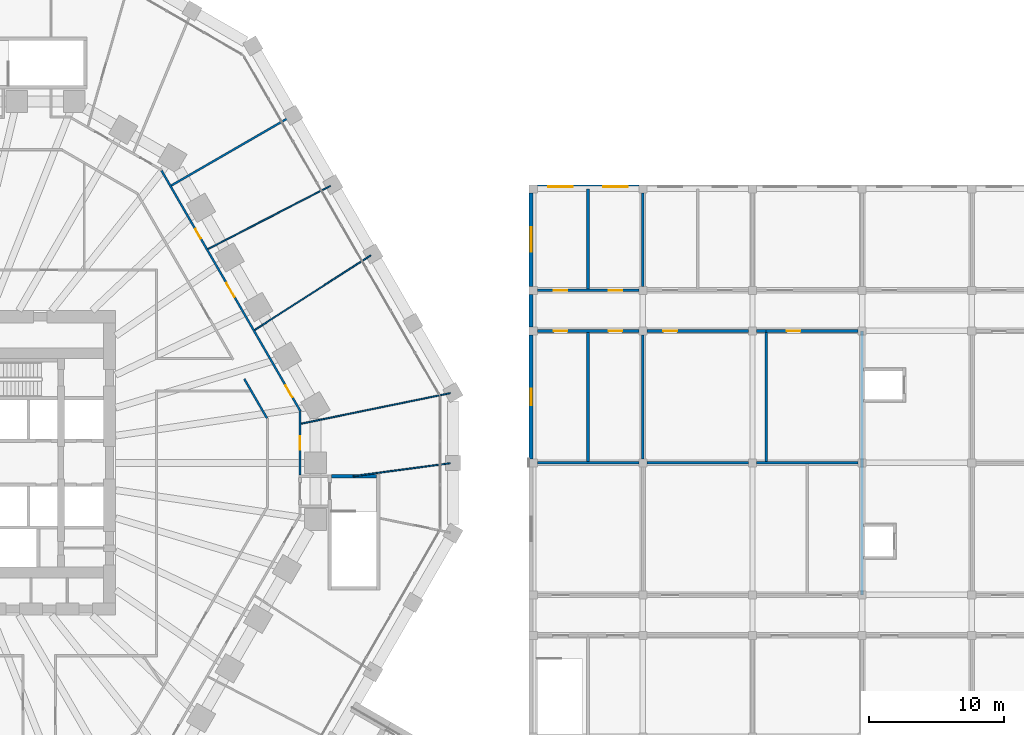
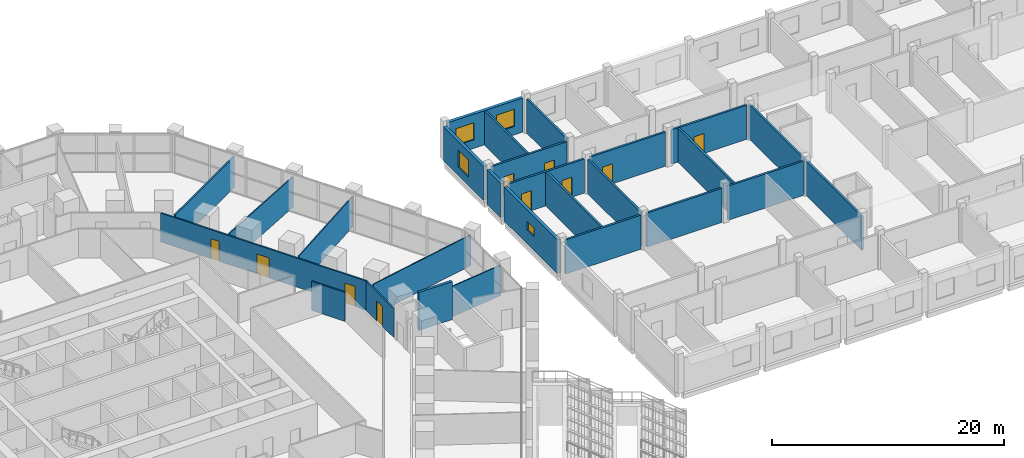
# One storey, part 26 of 38: 27 walls, 10 doors, 4 windows, 14 openings.
"""IFC4 building model written with IfcOpenShell, lengths in metres."""

from ifc_helpers import new_model, si_unit, direction, frame, frame_2d, origin, place, context, subcontext, project, spatial, rectangle, extrude, material, layer, layer_set, type_object, element, fill, save


model = new_model("IFC4")

# Units and contexts
model_context = context("Model", 3, precision=1e-05, world=origin(), true_north=direction((0.0, 1.0)))
body_context = subcontext(model_context, "Body", "Model", "MODEL_VIEW")
ifc_project = project(units=[si_unit("LENGTHUNIT", "METRE"), si_unit("AREAUNIT", "SQUARE_METRE"), si_unit("VOLUMEUNIT", "CUBIC_METRE"), si_unit("PLANEANGLEUNIT", "RADIAN"), si_unit("MASSUNIT", "GRAM", prefix="KILO")], contexts=[model_context])

# Site, building, storey
site_placement = place(None, origin())
site = spatial("IfcSite", under=ifc_project, at=site_placement, CompositionType="ELEMENT")
building_placement = place(site_placement, origin())
building = spatial("IfcBuilding", under=site, at=building_placement, Name="Frailejon Research Tower", CompositionType="ELEMENT")
storey_placement = place(building_placement, frame((0.0, 0.0, 10.199951171875)))
storey = spatial("IfcBuildingStorey", under=building, at=storey_placement, Name="L02", CompositionType="ELEMENT", Elevation=10.199951171875)

# Wall
ifc_material_1 = material(Name="Gypsum board and masonry partition", Category="masonry")
ifc_layer_1 = layer(ifc_material_1, 0.14990234375)
ifc_layer_set_1 = layer_set([ifc_layer_1], Name="Corridor wall EI 60, gypsum on steel studs 150")
wall_type_1 = type_object("IfcWallType", Name="Corridor wall EI 60, gypsum on steel studs 150", PredefinedType="PARTITIONING", material=ifc_layer_set_1)
wall_1_placement = place(storey_placement, frame((23.151611328125, 6.200439453125, 0.0), z_axis=(0.0, 0.0, 1.0), x_axis=(0.499943416353, -0.866058069904, 0.0)))
element("IfcWall", 1, at=wall_1_placement, inside=storey, type_object=wall_type_1, Name="T:IW:L02:003", PredefinedType="PARTITIONING", context=body_context, shape_type="SweptSolid", body=[
    extrude(rectangle(XDim=3.34765625, YDim=0.14990234375, at=frame_2d((1.673828125, 0.0))), origin(), (0.0, 0.0, 1.0), 3.050048828125),
])

# Wall, opening, door
wall_2_placement = place(storey_placement, frame((27.2626953125, -0.893798828125, 0.0), z_axis=(0.0, 0.0, 1.0), x_axis=(0.0, 1.0, 0.0)))
wall_2 = element("IfcWall", 2, at=wall_2_placement, inside=storey, type_object=wall_type_1, Name="T:IW:L02:006", PredefinedType="PARTITIONING", context=body_context, shape_type="SweptSolid", body=[
    extrude(rectangle(XDim=4.6982421875, YDim=0.14990234375, at=frame_2d((2.34912109375, 0.0))), origin(), (0.0, 0.0, 1.0), 3.050048828125),
])
opening_1_placement = place(wall_2_placement, frame((1.8798828125, 0.0, 0.0)))
opening_1 = element("IfcOpeningElement", 3, at=opening_1_placement, cuts=wall_2, Name="Opening D1055", PredefinedType="OPENING", context=body_context, shape_type="SweptSolid", body=[
    extrude(rectangle(XDim=1.0, YDim=2.10009765625, at=frame_2d((0.5, 1.050048828125))), frame((0.0, 0.0849609375, 0.0), z_axis=(0.0, -1.0, 0.0), x_axis=(1.0, 0.0, 0.0)), (0.0, 0.0, 1.0), 0.169921875),
])
ifc_material_2 = material(Name="Timber door leaf", Category="wood")
door_type_1 = type_object("IfcDoorType", Name="Door single leaf, timber, steel frame 1000", OperationType="NOTDEFINED", PredefinedType="DOOR", material=ifc_material_2)
door_1_placement = place(opening_1_placement, origin())
door_1 = element("IfcDoor", 4, at=door_1_placement, inside=storey, type_object=door_type_1, Name="D1055", OperationType="SINGLE_SWING_RIGHT", OverallHeight=2.10009765625, OverallWidth=1.0, PredefinedType="DOOR", context=body_context, shape_type="SweptSolid", body=[
    extrude(rectangle(XDim=1.0, YDim=2.10009765625, at=frame_2d((0.5, 1.050048828125))), frame((0.0, 0.02490234375, 0.0), z_axis=(0.0, -1.0, 0.0), x_axis=(1.0, 0.0, 0.0)), (0.0, 0.0, 1.0), 0.050048828125),
])
fill(opening_1, door_1)

# Wall, openings, doors
wall_3_placement = place(storey_placement, frame((17.028564453125, 21.605712890625, 0.0), z_axis=(0.0, 0.0, 1.0), x_axis=(0.499997805905, -0.866026670542, 0.0)))
wall_3 = element("IfcWall", 5, at=wall_3_placement, inside=storey, type_object=wall_type_1, Name="T:IW:L02:007", PredefinedType="PARTITIONING", context=body_context, shape_type="SweptSolid", body=[
    extrude(rectangle(XDim=20.54345703125, YDim=0.14990234375, at=frame_2d((10.271728515625, 0.0))), origin(), (0.0, 0.0, 1.0), 3.050048828125),
])
opening_2_placement = place(wall_3_placement, frame((18.351318359375, 0.0, 0.0)))
opening_2 = element("IfcOpeningElement", 6, at=opening_2_placement, cuts=wall_3, Name="Opening D1056", PredefinedType="OPENING", context=body_context, shape_type="SweptSolid", body=[
    extrude(rectangle(XDim=1.0, YDim=2.10009765625, at=frame_2d((0.5, 1.050048828125))), frame((0.0, 0.0849609375, 0.0), z_axis=(0.0, -1.0, 0.0), x_axis=(1.0, 0.0, 0.0)), (0.0, 0.0, 1.0), 0.169921875),
])
opening_3_placement = place(wall_3_placement, frame((9.5966796875, 0.0, 0.0)))
opening_3 = element("IfcOpeningElement", 7, at=opening_3_placement, cuts=wall_3, Name="Opening D1057", PredefinedType="OPENING", context=body_context, shape_type="SweptSolid", body=[
    extrude(rectangle(XDim=1.199951171875, YDim=2.10009765625, at=frame_2d((0.60009765625, 1.050048828125))), frame((0.0, 0.0849609375, 0.0), z_axis=(0.0, -1.0, 0.0), x_axis=(1.0, 0.0, 0.0)), (0.0, 0.0, 1.0), 0.169921875),
])
opening_4_placement = place(wall_3_placement, frame((5.002685546875, 0.0, 0.0)))
opening_4 = element("IfcOpeningElement", 8, at=opening_4_placement, cuts=wall_3, Name="Opening D1058", PredefinedType="OPENING", context=body_context, shape_type="SweptSolid", body=[
    extrude(rectangle(XDim=0.800048828125, YDim=2.10009765625, at=frame_2d((0.39990234375, 1.050048828125))), frame((0.0, 0.0849609375, 0.0), z_axis=(0.0, -1.0, 0.0), x_axis=(1.0, 0.0, 0.0)), (0.0, 0.0, 1.0), 0.169921875),
])
door_2_placement = place(opening_2_placement, origin())
door_2 = element("IfcDoor", 9, at=door_2_placement, inside=storey, type_object=door_type_1, Name="D1056", OperationType="SINGLE_SWING_RIGHT", OverallHeight=2.10009765625, OverallWidth=1.0, PredefinedType="DOOR", context=body_context, shape_type="SweptSolid", body=[
    extrude(rectangle(XDim=1.0, YDim=2.10009765625, at=frame_2d((0.5, 1.050048828125))), frame((0.0, 0.02490234375, 0.0), z_axis=(0.0, -1.0, 0.0), x_axis=(1.0, 0.0, 0.0)), (0.0, 0.0, 1.0), 0.050048828125),
])
fill(opening_2, door_2)
ifc_material_3 = material(Name="Timber door leaf", Category="wood")
door_type_2 = type_object("IfcDoorType", Name="Door single leaf, timber, steel frame 1200", OperationType="NOTDEFINED", PredefinedType="DOOR", material=ifc_material_3)
door_3_placement = place(opening_3_placement, origin())
door_3 = element("IfcDoor", 10, at=door_3_placement, inside=storey, type_object=door_type_2, Name="D1057", OperationType="DOUBLE_DOOR_SINGLE_SWING", OverallHeight=2.10009765625, OverallWidth=1.199951171875, PredefinedType="DOOR", context=body_context, shape_type="SweptSolid", body=[
    extrude(rectangle(XDim=1.199951171875, YDim=2.10009765625, at=frame_2d((0.60009765625, 1.050048828125))), frame((0.0, 0.02490234375, 0.0), z_axis=(0.0, -1.0, 0.0), x_axis=(1.0, 0.0, 0.0)), (0.0, 0.0, 1.0), 0.050048828125),
])
fill(opening_3, door_3)
ifc_material_4 = material(Name="Timber door leaf", Category="wood")
door_type_3 = type_object("IfcDoorType", Name="Door single leaf, timber, steel frame 800", OperationType="NOTDEFINED", PredefinedType="DOOR", material=ifc_material_4)
door_4_placement = place(opening_4_placement, origin())
door_4 = element("IfcDoor", 11, at=door_4_placement, inside=storey, type_object=door_type_3, Name="D1058", OperationType="SINGLE_SWING_RIGHT", OverallHeight=2.10009765625, OverallWidth=0.800048828125, PredefinedType="DOOR", context=body_context, shape_type="SweptSolid", body=[
    extrude(rectangle(XDim=0.800048828125, YDim=2.10009765625, at=frame_2d((0.39990234375, 1.050048828125))), frame((0.0, 0.02490234375, 0.0), z_axis=(0.0, -1.0, 0.0), x_axis=(1.0, 0.0, 0.0)), (0.0, 0.0, 1.0), 0.050048828125),
])
fill(opening_4, door_4)

# Wall, opening, window
ifc_material_5 = material(Name="Insulated masonry cavity wall", Category="masonry")
ifc_layer_2 = layer(ifc_material_5, 0.300048828125)
ifc_layer_set_2 = layer_set([ifc_layer_2], Name="HC facade wall 300")
wall_type_2 = type_object("IfcWallType", Name="HC facade wall 300", PredefinedType="SOLIDWALL", material=ifc_layer_set_2)
wall_4_placement = place(storey_placement, frame((44.35009765625, 0.300048828125, 0.0), z_axis=(0.0, 0.0, 1.0), x_axis=(0.0, 1.0, 0.0)))
wall_4 = element("IfcWall", 12, at=wall_4_placement, inside=storey, type_object=wall_type_2, Name="HC facade wall", PredefinedType="SOLIDWALL", context=body_context, shape_type="SweptSolid", body=[
    extrude(rectangle(XDim=9.14990234375, YDim=0.300048828125, at=frame_2d((4.574951171875, 0.0))), origin(), (0.0, 0.0, 1.0), 3.60009765625),
])
opening_5_placement = place(wall_4_placement, frame((3.97509765625, 0.0, 1.5)))
opening_5 = element("IfcOpeningElement", 13, at=opening_5_placement, cuts=wall_4, Name="Opening HW212", PredefinedType="OPENING", context=body_context, shape_type="SweptSolid", body=[
    extrude(rectangle(XDim=1.199951171875, YDim=0.89990234375, at=frame_2d((0.60009765625, 0.449951171875))), frame((0.0, 0.159912109375, 0.0), z_axis=(0.0, -1.0, 0.0), x_axis=(1.0, 0.0, 0.0)), (0.0, 0.0, 1.0), 0.320068359375),
])
ifc_material_6 = material(Name="Aluminium framed double glazing", Category="aluminium")
window_type_1 = type_object("IfcWindowType", Name="HC window 1200x900", PartitioningType="SINGLE_PANEL", PredefinedType="WINDOW", material=ifc_material_6)
window_1_placement = place(opening_5_placement, origin())
window_1 = element("IfcWindow", 14, at=window_1_placement, inside=storey, type_object=window_type_1, Name="Window HW212 (HCW2)", OverallHeight=0.89990234375, OverallWidth=1.199951171875, PartitioningType="SINGLE_PANEL", PredefinedType="WINDOW", context=body_context, shape_type="SweptSolid", body=[
    extrude(rectangle(XDim=1.199951171875, YDim=0.89990234375, at=frame_2d((0.60009765625, 0.449951171875))), frame((0.0, 0.030029296875, 0.0), z_axis=(0.0, -1.0, 0.0), x_axis=(1.0, 0.0, 0.0)), (0.0, 0.0, 1.0), 0.06005859375),
])
fill(opening_5, window_1)

# Wall
wall_5_placement = place(storey_placement, frame((44.35009765625, 10.050048828125, 0.0), z_axis=(0.0, 0.0, 1.0), x_axis=(0.0, 1.0, 0.0)))
element("IfcWall", 15, at=wall_5_placement, inside=storey, type_object=wall_type_2, Name="HC facade wall", PredefinedType="SOLIDWALL", context=body_context, shape_type="SweptSolid", body=[
    extrude(rectangle(XDim=2.39990234375, YDim=0.300048828125, at=frame_2d((1.199951171875, 0.0))), origin(), (0.0, 0.0, 1.0), 3.60009765625),
])

# Wall, opening, window
wall_6_placement = place(storey_placement, frame((44.35009765625, 13.050048828125, 0.0), z_axis=(0.0, 0.0, 1.0), x_axis=(0.0, 1.0, 0.0)))
wall_6 = element("IfcWall", 16, at=wall_6_placement, inside=storey, type_object=wall_type_2, Name="HC facade wall", PredefinedType="SOLIDWALL", context=body_context, shape_type="SweptSolid", body=[
    extrude(rectangle(XDim=6.89990234375, YDim=0.300048828125, at=frame_2d((3.449951171875, 0.0))), origin(), (0.0, 0.0, 1.0), 3.60009765625),
])
opening_6_placement = place(wall_6_placement, frame((2.550048828125, 0.0, 0.89990234375)))
opening_6 = element("IfcOpeningElement", 17, at=opening_6_placement, cuts=wall_6, Name="Opening HW215", PredefinedType="OPENING", context=body_context, shape_type="SweptSolid", body=[
    extrude(rectangle(XDim=1.800048828125, YDim=1.800048828125, at=frame_2d((0.89990234375, 0.89990234375))), frame((0.0, 0.159912109375, 0.0), z_axis=(0.0, -1.0, 0.0), x_axis=(1.0, 0.0, 0.0)), (0.0, 0.0, 1.0), 0.320068359375),
])
ifc_material_7 = material(Name="Aluminium framed double glazing", Category="aluminium")
window_type_2 = type_object("IfcWindowType", Name="HC window 1800x1800", PartitioningType="SINGLE_PANEL", PredefinedType="WINDOW", material=ifc_material_7)
window_2_placement = place(opening_6_placement, origin())
window_2 = element("IfcWindow", 18, at=window_2_placement, inside=storey, type_object=window_type_2, Name="Window HW215 (HCW1)", OverallHeight=1.800048828125, OverallWidth=1.800048828125, PartitioningType="SINGLE_PANEL", PredefinedType="WINDOW", context=body_context, shape_type="SweptSolid", body=[
    extrude(rectangle(XDim=1.800048828125, YDim=1.800048828125, at=frame_2d((0.89990234375, 0.89990234375))), frame((0.0, 0.030029296875, 0.0), z_axis=(0.0, -1.0, 0.0), x_axis=(1.0, 0.0, 0.0)), (0.0, 0.0, 1.0), 0.06005859375),
])
fill(opening_6, window_2)

# Wall, openings, windows
wall_7_placement = place(storey_placement, frame((44.800048828125, 20.39990234375, 0.0), z_axis=(0.0, 0.0, 1.0), x_axis=(1.0, 0.0, 0.0)))
wall_7 = element("IfcWall", 19, at=wall_7_placement, inside=storey, type_object=wall_type_2, Name="HC facade wall", PredefinedType="SOLIDWALL", context=body_context, shape_type="SweptSolid", body=[
    extrude(rectangle(XDim=7.5, YDim=0.300048828125, at=frame_2d((3.75, 0.0))), origin(), (0.0, 0.0, 1.0), 3.60009765625),
])
opening_7_placement = place(wall_7_placement, frame((0.824951171875, 0.0, 0.89990234375)))
opening_7 = element("IfcOpeningElement", 20, at=opening_7_placement, cuts=wall_7, Name="Opening HW214", PredefinedType="OPENING", context=body_context, shape_type="SweptSolid", body=[
    extrude(rectangle(XDim=1.800048828125, YDim=1.800048828125, at=frame_2d((0.89990234375, 0.89990234375))), frame((0.0, 0.159912109375, 0.0), z_axis=(0.0, -1.0, 0.0), x_axis=(1.0, 0.0, 0.0)), (0.0, 0.0, 1.0), 0.320068359375),
])
opening_8_placement = place(wall_7_placement, frame((4.875, 0.0, 0.89990234375)))
opening_8 = element("IfcOpeningElement", 21, at=opening_8_placement, cuts=wall_7, Name="Opening HW216", PredefinedType="OPENING", context=body_context, shape_type="SweptSolid", body=[
    extrude(rectangle(XDim=1.800048828125, YDim=1.800048828125, at=frame_2d((0.89990234375, 0.89990234375))), frame((0.0, 0.159912109375, 0.0), z_axis=(0.0, -1.0, 0.0), x_axis=(1.0, 0.0, 0.0)), (0.0, 0.0, 1.0), 0.320068359375),
])
window_3_placement = place(opening_7_placement, origin())
window_3 = element("IfcWindow", 22, at=window_3_placement, inside=storey, type_object=window_type_2, Name="Window HW214 (HCW1)", OverallHeight=1.800048828125, OverallWidth=1.800048828125, PartitioningType="SINGLE_PANEL", PredefinedType="WINDOW", context=body_context, shape_type="SweptSolid", body=[
    extrude(rectangle(XDim=1.800048828125, YDim=1.800048828125, at=frame_2d((0.89990234375, 0.89990234375))), frame((0.0, 0.030029296875, 0.0), z_axis=(0.0, -1.0, 0.0), x_axis=(1.0, 0.0, 0.0)), (0.0, 0.0, 1.0), 0.06005859375),
])
fill(opening_7, window_3)
window_4_placement = place(opening_8_placement, origin())
window_4 = element("IfcWindow", 23, at=window_4_placement, inside=storey, type_object=window_type_2, Name="Window HW216 (HCW1)", OverallHeight=1.800048828125, OverallWidth=1.800048828125, PartitioningType="SINGLE_PANEL", PredefinedType="WINDOW", context=body_context, shape_type="SweptSolid", body=[
    extrude(rectangle(XDim=1.800048828125, YDim=1.800048828125, at=frame_2d((0.89990234375, 0.89990234375))), frame((0.0, 0.030029296875, 0.0), z_axis=(0.0, -1.0, 0.0), x_axis=(1.0, 0.0, 0.0)), (0.0, 0.0, 1.0), 0.06005859375),
])
fill(opening_8, window_4)

# Walls
ifc_material_8 = material(Name="Concrete C35/45", Category="concrete")
ifc_layer_3 = layer(ifc_material_8, 0.199951171875)
ifc_layer_set_3 = layer_set([ifc_layer_3], Name="HC fire wall 200")
wall_type_3 = type_object("IfcWallType", Name="HC fire wall 200", PredefinedType="SOLIDWALL", material=ifc_layer_set_3)
wall_8_placement = place(storey_placement, frame((52.89990234375, 0.0, 0.0), z_axis=(0.0, 0.0, 1.0), x_axis=(1.0, 0.0, 0.0)))
element("IfcWall", 24, at=wall_8_placement, inside=storey, type_object=wall_type_3, Name="HC fire-resisting wall", PredefinedType="SOLIDWALL", context=body_context, shape_type="SweptSolid", body=[
    extrude(rectangle(XDim=7.5, YDim=0.199951171875, at=frame_2d((3.75, 0.0))), origin(), (0.0, 0.0, 1.0), 3.60009765625),
])
wall_9_placement = place(storey_placement, frame((52.60009765625, 0.300048828125, 0.0), z_axis=(0.0, 0.0, 1.0), x_axis=(0.0, 1.0, 0.0)))
element("IfcWall", 25, at=wall_9_placement, inside=storey, type_object=wall_type_3, Name="HC fire-resisting wall", PredefinedType="SOLIDWALL", context=body_context, shape_type="SweptSolid", body=[
    extrude(rectangle(XDim=9.14990234375, YDim=0.199951171875, at=frame_2d((4.574951171875, 0.0))), origin(), (0.0, 0.0, 1.0), 3.60009765625),
])

# Wall, opening, door
wall_10_placement = place(storey_placement, frame((52.89990234375, 9.75, 0.0), z_axis=(0.0, 0.0, 1.0), x_axis=(1.0, 0.0, 0.0)))
wall_10 = element("IfcWall", 26, at=wall_10_placement, inside=storey, type_object=wall_type_3, Name="HC fire-resisting wall", PredefinedType="SOLIDWALL", context=body_context, shape_type="SweptSolid", body=[
    extrude(rectangle(XDim=7.5, YDim=0.199951171875, at=frame_2d((3.75, 0.0))), origin(), (0.0, 0.0, 1.0), 3.60009765625),
])
opening_9_placement = place(wall_10_placement, frame((1.22509765625, 0.0, 0.0)))
opening_9 = element("IfcOpeningElement", 27, at=opening_9_placement, cuts=wall_10, Name="Opening HD217", PredefinedType="OPENING", context=body_context, shape_type="SweptSolid", body=[
    extrude(rectangle(XDim=1.0, YDim=2.10009765625, at=frame_2d((0.5, 1.050048828125))), frame((0.0, 0.10986328125, 0.0), z_axis=(0.0, -1.0, 0.0), x_axis=(1.0, 0.0, 0.0)), (0.0, 0.0, 1.0), 0.219970703125),
])
ifc_material_9 = material(Name="Steel fire door leaf", Category="steel")
door_type_4 = type_object("IfcDoorType", Name="HC plant door 1000", OperationType="SINGLE_SWING_LEFT", PredefinedType="DOOR", material=ifc_material_9)
door_5_placement = place(opening_9_placement, origin())
door_5 = element("IfcDoor", 28, at=door_5_placement, inside=storey, type_object=door_type_4, Name="Door HD217", OperationType="SINGLE_SWING_LEFT", OverallHeight=2.10009765625, OverallWidth=1.0, PredefinedType="DOOR", context=body_context, shape_type="SweptSolid", body=[
    extrude(rectangle(XDim=1.0, YDim=2.10009765625, at=frame_2d((0.5, 1.050048828125))), frame((0.0, 0.02490234375, 0.0), z_axis=(0.0, -1.0, 0.0), x_axis=(1.0, 0.0, 0.0)), (0.0, 0.0, 1.0), 0.050048828125),
])
fill(opening_9, door_5)

# Walls
wall_11_placement = place(storey_placement, frame((61.0, 9.75, 0.0), z_axis=(0.0, 0.0, 1.0), x_axis=(1.0, 0.0, 0.0)))
element("IfcWall", 29, at=wall_11_placement, inside=storey, type_object=wall_type_3, Name="HC fire-resisting wall", PredefinedType="SOLIDWALL", context=body_context, shape_type="SweptSolid", body=[
    extrude(rectangle(XDim=0.71240234375, YDim=0.199951171875, at=frame_2d((0.356201171875, 0.0))), origin(), (0.0, 0.0, 1.0), 3.60009765625),
])
wall_12_placement = place(storey_placement, frame((61.71240234375, 0.10009765625, 0.0), z_axis=(0.0, 0.0, 1.0), x_axis=(0.0, 1.0, 0.0)))
element("IfcWall", 30, at=wall_12_placement, inside=storey, type_object=wall_type_3, Name="HC fire-resisting wall", PredefinedType="SOLIDWALL", context=body_context, shape_type="SweptSolid", body=[
    extrude(rectangle(XDim=9.5498046875, YDim=0.199951171875, at=frame_2d((4.77490234375, 0.0))), origin(), (0.0, 0.0, 1.0), 3.60009765625),
])
ifc_material_10 = material(Name="Masonry blockwork partition", Category="masonry")
ifc_layer_4 = layer(ifc_material_10, 0.199951171875)
ifc_layer_set_4 = layer_set([ifc_layer_4], Name="HC partition 200")
wall_type_4 = type_object("IfcWallType", Name="HC partition 200", PredefinedType="PARTITIONING", material=ifc_layer_set_4)
wall_13_placement = place(storey_placement, frame((48.550048828125, 0.10009765625, 0.0), z_axis=(0.0, 0.0, 1.0), x_axis=(0.0, 1.0, 0.0)))
element("IfcWall", 31, at=wall_13_placement, inside=storey, type_object=wall_type_4, Name="HC partition", PredefinedType="PARTITIONING", context=body_context, shape_type="SweptSolid", body=[
    extrude(rectangle(XDim=9.5498046875, YDim=0.199951171875, at=frame_2d((4.77490234375, 0.0))), origin(), (0.0, 0.0, 1.0), 3.60009765625),
])
wall_14_placement = place(storey_placement, frame((48.550048828125, 12.85009765625, 0.0), z_axis=(0.0, 0.0, 1.0), x_axis=(0.0, 1.0, 0.0)))
element("IfcWall", 32, at=wall_14_placement, inside=storey, type_object=wall_type_4, Name="HC partition", PredefinedType="PARTITIONING", context=body_context, shape_type="SweptSolid", body=[
    extrude(rectangle(XDim=7.39990234375, YDim=0.199951171875, at=frame_2d((3.699951171875, 0.0))), origin(), (0.0, 0.0, 1.0), 3.60009765625),
])
wall_15_placement = place(storey_placement, frame((68.800048828125, -9.75, 0.0), z_axis=(0.0, 0.0, 1.0), x_axis=(0.0, 1.0, 0.0)))
element("IfcWall", 33, at=wall_15_placement, inside=storey, type_object=wall_type_4, Name="HC partition", PredefinedType="PARTITIONING", context=body_context, shape_type="SweptSolid", body=[
    extrude(rectangle(XDim=19.5, YDim=0.199951171875, at=frame_2d((9.75, 0.0))), origin(), (0.0, 0.0, 1.0), 3.60009765625),
])
for number, where, z_axis, x_axis, name in (
    (34, (44.800048828125, 0.0, 0.0), (0.0, 0.0, 1.0), (1.0, 0.0, 0.0), "HC partition"),
    (35, (61.0, 0.0, 0.0), (0.0, 0.0, 1.0), (1.0, 0.0, 0.0), "HC partition"),
):
    element("IfcWall", number, at=place(storey_placement, frame(where, z_axis=z_axis, x_axis=x_axis)), inside=storey, type_object=wall_type_4, Name=name, PredefinedType="PARTITIONING", context=body_context, shape_type="SweptSolid", body=[
        extrude(rectangle(XDim=7.5, YDim=0.199951171875, at=frame_2d((3.75, 0.0))), origin(), (0.0, 0.0, 1.0), 3.60009765625),
    ])
wall_16_placement = place(storey_placement, frame((52.60009765625, 13.050048828125, 0.0), z_axis=(0.0, 0.0, 1.0), x_axis=(0.0, 1.0, 0.0)))
element("IfcWall", 36, at=wall_16_placement, inside=storey, type_object=wall_type_4, Name="HC partition", PredefinedType="PARTITIONING", context=body_context, shape_type="SweptSolid", body=[
    extrude(rectangle(XDim=6.89990234375, YDim=0.199951171875, at=frame_2d((3.449951171875, 0.0))), origin(), (0.0, 0.0, 1.0), 3.60009765625),
])

# Wall, openings, doors
wall_17_placement = place(storey_placement, frame((44.800048828125, 9.75, 0.0), z_axis=(0.0, 0.0, 1.0), x_axis=(1.0, 0.0, 0.0)))
wall_17 = element("IfcWall", 37, at=wall_17_placement, inside=storey, type_object=wall_type_4, Name="HC partition", PredefinedType="PARTITIONING", context=body_context, shape_type="SweptSolid", body=[
    extrude(rectangle(XDim=7.5, YDim=0.199951171875, at=frame_2d((3.75, 0.0))), origin(), (0.0, 0.0, 1.0), 3.60009765625),
])
opening_10_placement = place(wall_17_placement, frame((1.22509765625, 0.0, 0.0)))
opening_10 = element("IfcOpeningElement", 38, at=opening_10_placement, cuts=wall_17, Name="Opening HD215", PredefinedType="OPENING", context=body_context, shape_type="SweptSolid", body=[
    extrude(rectangle(XDim=1.0, YDim=2.10009765625, at=frame_2d((0.5, 1.050048828125))), frame((0.0, 0.10986328125, 0.0), z_axis=(0.0, -1.0, 0.0), x_axis=(1.0, 0.0, 0.0)), (0.0, 0.0, 1.0), 0.219970703125),
])
opening_11_placement = place(wall_17_placement, frame((5.27490234375, 0.0, 0.0)))
opening_11 = element("IfcOpeningElement", 39, at=opening_11_placement, cuts=wall_17, Name="Opening HD216", PredefinedType="OPENING", context=body_context, shape_type="SweptSolid", body=[
    extrude(rectangle(XDim=1.0, YDim=2.10009765625, at=frame_2d((0.5, 1.050048828125))), frame((0.0, 0.10986328125, 0.0), z_axis=(0.0, -1.0, 0.0), x_axis=(1.0, 0.0, 0.0)), (0.0, 0.0, 1.0), 0.219970703125),
])
ifc_material_11 = material(Name="Timber veneered fire door leaf", Category="wood")
door_type_5 = type_object("IfcDoorType", Name="HC door 1000 left", OperationType="SINGLE_SWING_LEFT", PredefinedType="DOOR", material=ifc_material_11)
door_6_placement = place(opening_10_placement, origin())
door_6 = element("IfcDoor", 40, at=door_6_placement, inside=storey, type_object=door_type_5, Name="Door HD215", OperationType="SINGLE_SWING_LEFT", OverallHeight=2.10009765625, OverallWidth=1.0, PredefinedType="DOOR", context=body_context, shape_type="SweptSolid", body=[
    extrude(rectangle(XDim=1.0, YDim=2.10009765625, at=frame_2d((0.5, 1.050048828125))), frame((0.0, 0.02490234375, 0.0), z_axis=(0.0, -1.0, 0.0), x_axis=(1.0, 0.0, 0.0)), (0.0, 0.0, 1.0), 0.050048828125),
])
fill(opening_10, door_6)
ifc_material_12 = material(Name="Timber veneered fire door leaf", Category="wood")
door_type_6 = type_object("IfcDoorType", Name="HC door 1000 right", OperationType="SINGLE_SWING_RIGHT", PredefinedType="DOOR", material=ifc_material_12)
door_7_placement = place(opening_11_placement, origin())
door_7 = element("IfcDoor", 41, at=door_7_placement, inside=storey, type_object=door_type_6, Name="Door HD216", OperationType="SINGLE_SWING_RIGHT", OverallHeight=2.10009765625, OverallWidth=1.0, PredefinedType="DOOR", context=body_context, shape_type="SweptSolid", body=[
    extrude(rectangle(XDim=1.0, YDim=2.10009765625, at=frame_2d((0.5, 1.050048828125))), frame((0.0, 0.02490234375, 0.0), z_axis=(0.0, -1.0, 0.0), x_axis=(1.0, 0.0, 0.0)), (0.0, 0.0, 1.0), 0.050048828125),
])
fill(opening_11, door_7)

# Wall, opening, door
wall_18_placement = place(storey_placement, frame((61.71240234375, 9.75, 0.0), z_axis=(0.0, 0.0, 1.0), x_axis=(1.0, 0.0, 0.0)))
wall_18 = element("IfcWall", 42, at=wall_18_placement, inside=storey, type_object=wall_type_4, Name="HC partition", PredefinedType="PARTITIONING", context=body_context, shape_type="SweptSolid", body=[
    extrude(rectangle(XDim=6.78759765625, YDim=0.199951171875, at=frame_2d((3.393798828125, 0.0))), origin(), (0.0, 0.0, 1.0), 3.60009765625),
])
opening_12_placement = place(wall_18_placement, frame((1.52490234375, 0.0, 0.0)))
opening_12 = element("IfcOpeningElement", 43, at=opening_12_placement, cuts=wall_18, Name="Opening HD218", PredefinedType="OPENING", context=body_context, shape_type="SweptSolid", body=[
    extrude(rectangle(XDim=1.0, YDim=2.10009765625, at=frame_2d((0.5, 1.050048828125))), frame((0.0, 0.10986328125, 0.0), z_axis=(0.0, -1.0, 0.0), x_axis=(1.0, 0.0, 0.0)), (0.0, 0.0, 1.0), 0.219970703125),
])
door_8_placement = place(opening_12_placement, origin())
door_8 = element("IfcDoor", 44, at=door_8_placement, inside=storey, type_object=door_type_6, Name="Door HD218", OperationType="SINGLE_SWING_RIGHT", OverallHeight=2.10009765625, OverallWidth=1.0, PredefinedType="DOOR", context=body_context, shape_type="SweptSolid", body=[
    extrude(rectangle(XDim=1.0, YDim=2.10009765625, at=frame_2d((0.5, 1.050048828125))), frame((0.0, 0.02490234375, 0.0), z_axis=(0.0, -1.0, 0.0), x_axis=(1.0, 0.0, 0.0)), (0.0, 0.0, 1.0), 0.050048828125),
])
fill(opening_12, door_8)

# Wall, openings, doors
wall_19_placement = place(storey_placement, frame((44.800048828125, 12.75, 0.0), z_axis=(0.0, 0.0, 1.0), x_axis=(1.0, 0.0, 0.0)))
wall_19 = element("IfcWall", 45, at=wall_19_placement, inside=storey, type_object=wall_type_4, Name="HC partition", PredefinedType="PARTITIONING", context=body_context, shape_type="SweptSolid", body=[
    extrude(rectangle(XDim=7.5, YDim=0.199951171875, at=frame_2d((3.75, 0.0))), origin(), (0.0, 0.0, 1.0), 3.60009765625),
])
opening_13_placement = place(wall_19_placement, frame((1.22509765625, 0.0, 0.0)))
opening_13 = element("IfcOpeningElement", 46, at=opening_13_placement, cuts=wall_19, Name="Opening HD224", PredefinedType="OPENING", context=body_context, shape_type="SweptSolid", body=[
    extrude(rectangle(XDim=1.0, YDim=2.10009765625, at=frame_2d((0.5, 1.050048828125))), frame((0.0, 0.10986328125, 0.0), z_axis=(0.0, -1.0, 0.0), x_axis=(1.0, 0.0, 0.0)), (0.0, 0.0, 1.0), 0.219970703125),
])
opening_14_placement = place(wall_19_placement, frame((5.27490234375, 0.0, 0.0)))
opening_14 = element("IfcOpeningElement", 47, at=opening_14_placement, cuts=wall_19, Name="Opening HD225", PredefinedType="OPENING", context=body_context, shape_type="SweptSolid", body=[
    extrude(rectangle(XDim=1.0, YDim=2.10009765625, at=frame_2d((0.5, 1.050048828125))), frame((0.0, 0.10986328125, 0.0), z_axis=(0.0, -1.0, 0.0), x_axis=(1.0, 0.0, 0.0)), (0.0, 0.0, 1.0), 0.219970703125),
])
door_9_placement = place(opening_14_placement, origin())
door_9 = element("IfcDoor", 48, at=door_9_placement, inside=storey, type_object=door_type_5, Name="Door HD225", OperationType="SINGLE_SWING_LEFT", OverallHeight=2.10009765625, OverallWidth=1.0, PredefinedType="DOOR", context=body_context, shape_type="SweptSolid", body=[
    extrude(rectangle(XDim=1.0, YDim=2.10009765625, at=frame_2d((0.5, 1.050048828125))), frame((0.0, 0.02490234375, 0.0), z_axis=(0.0, -1.0, 0.0), x_axis=(1.0, 0.0, 0.0)), (0.0, 0.0, 1.0), 0.050048828125),
])
fill(opening_14, door_9)
door_10_placement = place(opening_13_placement, origin())
door_10 = element("IfcDoor", 49, at=door_10_placement, inside=storey, type_object=door_type_6, Name="Door HD224", OperationType="SINGLE_SWING_RIGHT", OverallHeight=2.10009765625, OverallWidth=1.0, PredefinedType="DOOR", context=body_context, shape_type="SweptSolid", body=[
    extrude(rectangle(XDim=1.0, YDim=2.10009765625, at=frame_2d((0.5, 1.050048828125))), frame((0.0, 0.02490234375, 0.0), z_axis=(0.0, -1.0, 0.0), x_axis=(1.0, 0.0, 0.0)), (0.0, 0.0, 1.0), 0.050048828125),
])
fill(opening_13, door_10)

# Walls
ifc_material_13 = material(Name="Gypsum board and masonry partition", Category="masonry")
ifc_layer_5 = layer(ifc_material_13, 0.14990234375)
ifc_layer_set_5 = layer_set([ifc_layer_5], Name="Laboratory partition, blockwork 150")
wall_type_5 = type_object("IfcWallType", Name="Laboratory partition, blockwork 150", PredefinedType="PARTITIONING", material=ifc_layer_set_5)
wall_20_placement = place(storey_placement, frame((17.756591796875, 20.494873046875, 0.0), z_axis=(0.0, 0.0, 1.0), x_axis=(0.866028554658, 0.499994542487, 0.0)))
element("IfcWall", 50, at=wall_20_placement, inside=storey, type_object=wall_type_5, Name="T:IW:L02:068", PredefinedType="PARTITIONING", context=body_context, shape_type="SweptSolid", body=[
    extrude(rectangle(XDim=10.1748046875, YDim=0.14990234375, at=frame_2d((5.08740234375, 0.0))), origin(), (0.0, 0.0, 1.0), 3.25),
])
ifc_material_14 = material(Name="Gypsum board and masonry partition", Category="masonry")
ifc_layer_6 = layer(ifc_material_14, 0.10009765625)
ifc_layer_set_6 = layer_set([ifc_layer_6], Name="Partition, gypsum on steel studs 100")
wall_type_6 = type_object("IfcWallType", Name="Partition, gypsum on steel studs 100", PredefinedType="PARTITIONING", material=ifc_layer_set_6)
wall_21_placement = place(storey_placement, frame((27.336181640625, 2.89453125, 0.0), z_axis=(0.0, 0.0, 1.0), x_axis=(0.979647999814, 0.200723183666, 0.0)))
element("IfcWall", 51, at=wall_21_placement, inside=storey, type_object=wall_type_6, Name="T:IW:L02:079", PredefinedType="PARTITIONING", context=body_context, shape_type="SweptSolid", body=[
    extrude(rectangle(XDim=11.255615234375, YDim=0.10009765625, at=frame_2d((5.6279296875, 0.0))), origin(), (0.0, 0.0, 1.0), 3.25),
])
wall_22_placement = place(storey_placement, frame((31.202392578125, -0.977294921875, 0.0), z_axis=(0.0, 0.0, 1.0), x_axis=(0.991316158705, 0.13150008932, 0.0)))
element("IfcWall", 52, at=wall_22_placement, inside=storey, type_object=wall_type_6, Name="T:IW:L02:080", PredefinedType="PARTITIONING", context=body_context, shape_type="SweptSolid", body=[
    extrude(rectangle(XDim=7.2294921875, YDim=0.10009765625, at=frame_2d((3.61474609375, 0.0))), origin(), (0.0, 0.0, 1.0), 3.199951171875),
])
for number, where, z_axis, x_axis, name in (
    (53, (23.91845703125, 9.82177734375, 0.0), (0.0, 0.0, 1.0), (0.841149662558, 0.540802408628, 0.0), "T:IW:L02:081"),
    (54, (20.465087890625, 15.802978515625, 0.0), (0.0, 0.0, 1.0), (0.888930498325, 0.458042104122, 0.0), "T:IW:L02:082"),
):
    element("IfcWall", number, at=place(storey_placement, frame(where, z_axis=z_axis, x_axis=x_axis)), inside=storey, type_object=wall_type_6, Name=name, PredefinedType="PARTITIONING", context=body_context, shape_type="SweptSolid", body=[
        extrude(rectangle(XDim=10.186767578125, YDim=0.10009765625, at=frame_2d((5.09326171875, 0.0))), origin(), (0.0, 0.0, 1.0), 3.199951171875),
    ])
ifc_material_15 = material(Name="Concrete C50/60", Category="concrete")
ifc_layer_7 = layer(ifc_material_15, 0.25)
ifc_layer_set_7 = layer_set([ifc_layer_7], Name="Stair enclosure wall EI 120, Concrete C50/60 250")
wall_type_7 = type_object("IfcWallType", Name="Stair enclosure wall EI 120, Concrete C50/60 250", PredefinedType="SOLIDWALL", material=ifc_layer_set_7)
wall_23_placement = place(storey_placement, frame((29.587890625, -0.993896484375, 0.0), z_axis=(0.0, 0.0, 1.0), x_axis=(1.0, 0.0, 0.0)))
element("IfcWall", 55, at=wall_23_placement, inside=storey, type_object=wall_type_7, Name="T:IW:L02:126", PredefinedType="SOLIDWALL", context=body_context, shape_type="SweptSolid", body=[
    extrude(rectangle(XDim=3.349853515625, YDim=0.25, at=frame_2d((1.6748046875, 0.0))), origin(), (0.0, 0.0, 1.0), 4.0),
])

save(model, "model.ifc")
